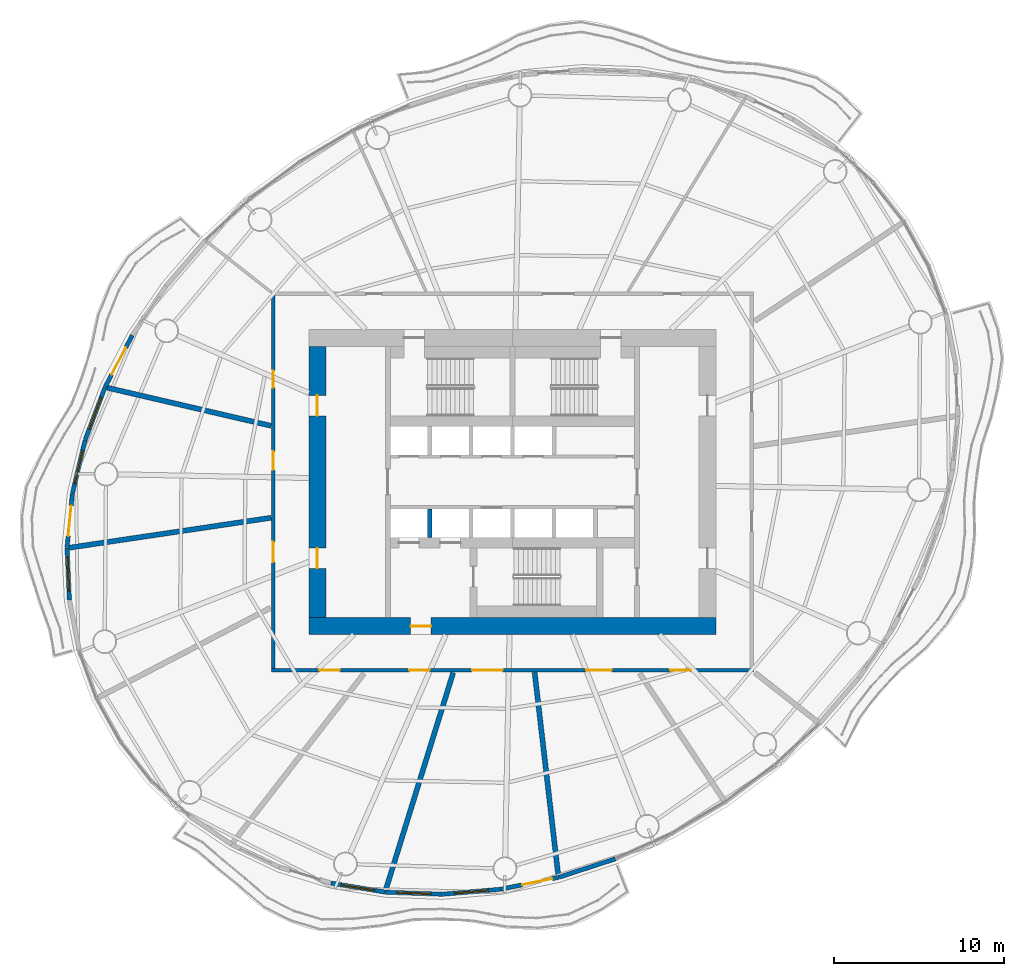
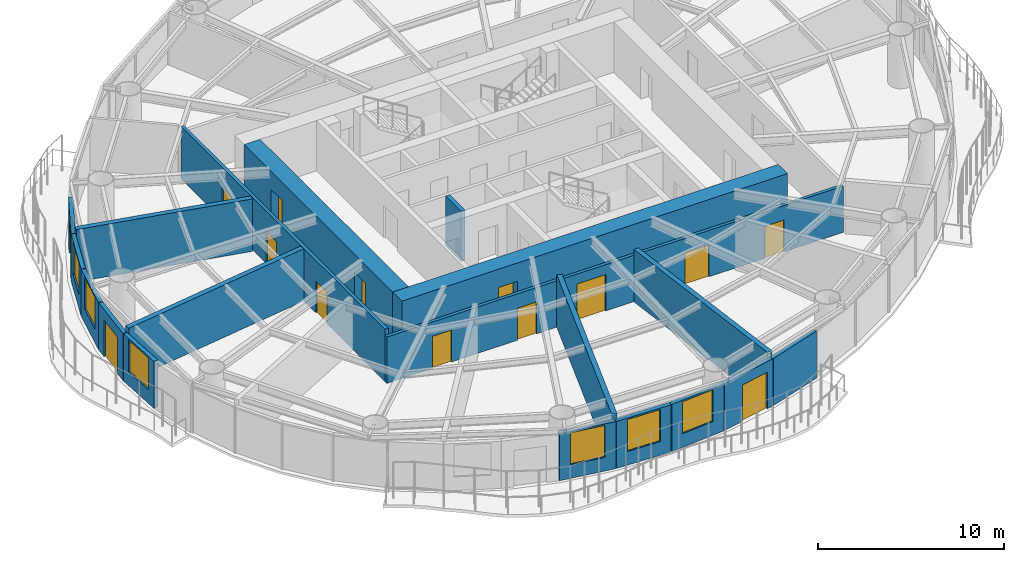
# One storey, part 8 of 15: 19 walls, 14 doors, 6 windows, 20 openings.
"""IFC4 building model written with IfcOpenShell, lengths in metres."""

from ifc_helpers import new_model, si_unit, direction, frame, frame_2d, origin, place, context, subcontext, project, spatial, rectangle, extrude, material, layer, layer_set, type_object, element, fill, save


model = new_model("IFC4")

# Units and contexts
model_context = context("Model", 3, precision=1e-05, world=origin(), true_north=direction((0.0, 1.0)))
body_context = subcontext(model_context, "Body", "Model", "MODEL_VIEW")
ifc_project = project(units=[si_unit("LENGTHUNIT", "METRE"), si_unit("AREAUNIT", "SQUARE_METRE"), si_unit("VOLUMEUNIT", "CUBIC_METRE"), si_unit("PLANEANGLEUNIT", "RADIAN"), si_unit("MASSUNIT", "GRAM", prefix="KILO")], contexts=[model_context])

# Site, building, storey
site_placement = place(None, origin())
site = spatial("IfcSite", under=ifc_project, at=site_placement, CompositionType="ELEMENT")
building_placement = place(site_placement, origin())
building = spatial("IfcBuilding", under=site, at=building_placement, Name="Vermilion Reach Broadcast Tower", CompositionType="ELEMENT")
storey_placement = place(building_placement, frame((0.0, 0.0, 168.60009765625)))
storey = spatial("IfcBuildingStorey", under=building, at=storey_placement, Name="L40", CompositionType="ELEMENT", Elevation=168.60009765625)

# Wall, opening, door
ifc_material_1 = material(Name="Concrete C70", Category="concrete")
ifc_layer_1 = layer(ifc_material_1, 1.0)
ifc_layer_set_1 = layer_set([ifc_layer_1], Name="Core outer wall 1000 mm Concrete C70")
wall_type_1 = type_object("IfcWallType", Name="Core outer wall 1000 mm Concrete C70", PredefinedType="SHEAR", material=ifc_layer_set_1)
wall_1_placement = place(storey_placement, frame((-18.0, -8.5, 0.0), z_axis=(0.0, 0.0, 1.0), x_axis=(1.0, 0.0, 0.0)))
wall_1 = element("IfcWall", 1, at=wall_1_placement, inside=storey, type_object=wall_type_1, Name="L40 core wall os", PredefinedType="SHEAR", context=body_context, shape_type="SweptSolid", body=[
    extrude(rectangle(XDim=24.0, YDim=1.0, at=frame_2d((12.0, 0.0))), origin(), (0.0, 0.0, 1.0), 3.2998046875),
])
opening_1_placement = place(wall_1_placement, frame((6.0, 0.0, 0.0)))
opening_1 = element("IfcOpeningElement", 2, at=opening_1_placement, cuts=wall_1, Name="Opening D02", PredefinedType="OPENING", context=body_context, shape_type="SweptSolid", body=[
    extrude(rectangle(XDim=1.199951171875, YDim=2.10009765625, at=frame_2d((0.60009765625, 1.050048828125))), frame((0.0, 0.510009765625, 0.0), z_axis=(0.0, -1.0, 0.0), x_axis=(1.0, 0.0, 0.0)), (0.0, 0.0, 1.0), 1.02001953125),
])
ifc_material_2 = material(Name="Painted steel fire door", Category="steel")
door_type_1 = type_object("IfcDoorType", Name="Firefighting lobby door 1200 x 2100", OperationType="DOUBLE_DOOR_SINGLE_SWING", PredefinedType="NOTDEFINED", material=ifc_material_2)
door_1_placement = place(opening_1_placement, origin())
door_1 = element("IfcDoor", 3, at=door_1_placement, inside=storey, type_object=door_type_1, Name="L40 ffdoor door FFL", OperationType="DOUBLE_DOOR_SINGLE_SWING", OverallHeight=2.10009765625, OverallWidth=1.199951171875, PredefinedType="NOTDEFINED", context=body_context, shape_type="SweptSolid", body=[
    extrude(rectangle(XDim=1.199951171875, YDim=2.10009765625, at=frame_2d((0.60009765625, 1.050048828125))), frame((0.0, 0.02490234375, 0.0), z_axis=(0.0, -1.0, 0.0), x_axis=(1.0, 0.0, 0.0)), (0.0, 0.0, 1.0), 0.050048828125),
])
fill(opening_1, door_1)

# Wall, openings, doors
wall_2_placement = place(storey_placement, frame((-17.5, 8.0, 0.0), z_axis=(0.0, 0.0, 1.0), x_axis=(0.0, -1.0, 0.0)))
wall_2 = element("IfcWall", 4, at=wall_2_placement, inside=storey, type_object=wall_type_1, Name="L40 core wall ow", PredefinedType="SHEAR", context=body_context, shape_type="SweptSolid", body=[
    extrude(rectangle(XDim=16.0, YDim=1.0, at=frame_2d((8.0, 0.0))), origin(), (0.0, 0.0, 1.0), 3.2998046875),
])
opening_2_placement = place(wall_2_placement, frame((11.89990234375, 0.0, 0.0)))
opening_2 = element("IfcOpeningElement", 5, at=opening_2_placement, cuts=wall_2, Name="Opening D03", PredefinedType="OPENING", context=body_context, shape_type="SweptSolid", body=[
    extrude(rectangle(XDim=1.199951171875, YDim=2.10009765625, at=frame_2d((0.60009765625, 1.050048828125))), frame((0.0, 0.510009765625, 0.0), z_axis=(0.0, -1.0, 0.0), x_axis=(1.0, 0.0, 0.0)), (0.0, 0.0, 1.0), 1.02001953125),
])
opening_3_placement = place(wall_2_placement, frame((2.89990234375, 0.0, 0.0)))
opening_3 = element("IfcOpeningElement", 6, at=opening_3_placement, cuts=wall_2, Name="Opening D03", PredefinedType="OPENING", context=body_context, shape_type="SweptSolid", body=[
    extrude(rectangle(XDim=1.199951171875, YDim=2.10009765625, at=frame_2d((0.60009765625, 1.050048828125))), frame((0.0, 0.510009765625, 0.0), z_axis=(0.0, -1.0, 0.0), x_axis=(1.0, 0.0, 0.0)), (0.0, 0.0, 1.0), 1.02001953125),
])
ifc_material_3 = material(Name="Painted steel fire door", Category="steel")
door_type_2 = type_object("IfcDoorType", Name="Core lobby door 1200 x 2100", OperationType="DOUBLE_DOOR_SINGLE_SWING", PredefinedType="NOTDEFINED", material=ifc_material_3)
door_2_placement = place(opening_2_placement, origin())
door_2 = element("IfcDoor", 7, at=door_2_placement, inside=storey, type_object=door_type_2, Name="L40 slot door W0", OperationType="DOUBLE_DOOR_SINGLE_SWING", OverallHeight=2.10009765625, OverallWidth=1.199951171875, PredefinedType="NOTDEFINED", context=body_context, shape_type="SweptSolid", body=[
    extrude(rectangle(XDim=1.199951171875, YDim=2.10009765625, at=frame_2d((0.60009765625, 1.050048828125))), frame((0.0, 0.02490234375, 0.0), z_axis=(0.0, -1.0, 0.0), x_axis=(1.0, 0.0, 0.0)), (0.0, 0.0, 1.0), 0.050048828125),
])
fill(opening_2, door_2)
door_3_placement = place(opening_3_placement, origin())
door_3 = element("IfcDoor", 8, at=door_3_placement, inside=storey, type_object=door_type_2, Name="L40 slot door W1", OperationType="DOUBLE_DOOR_SINGLE_SWING", OverallHeight=2.10009765625, OverallWidth=1.199951171875, PredefinedType="NOTDEFINED", context=body_context, shape_type="SweptSolid", body=[
    extrude(rectangle(XDim=1.199951171875, YDim=2.10009765625, at=frame_2d((0.60009765625, 1.050048828125))), frame((0.0, 0.02490234375, 0.0), z_axis=(0.0, -1.0, 0.0), x_axis=(1.0, 0.0, 0.0)), (0.0, 0.0, 1.0), 0.050048828125),
])
fill(opening_3, door_3)

# Wall
ifc_material_4 = material(Name="Concrete C50", Category="concrete")
ifc_layer_2 = layer(ifc_material_4, 0.25)
ifc_layer_set_2 = layer_set([ifc_layer_2], Name="Core shaft wall 250 mm Concrete C50")
wall_type_2 = type_object("IfcWallType", Name="Core shaft wall 250 mm Concrete C50", PredefinedType="SHEAR", material=ifc_layer_set_2)
wall_3_placement = place(storey_placement, frame((-10.88330078125, -1.60009765625, 0.0), z_axis=(0.0, 0.0, 1.0), x_axis=(0.0, -1.0, 0.0)))
element("IfcWall", 9, at=wall_3_placement, inside=storey, type_object=wall_type_2, Name="L40 core wall psS0", PredefinedType="SHEAR", context=body_context, shape_type="SweptSolid", body=[
    extrude(rectangle(XDim=1.679931640625, YDim=0.25, at=frame_2d((0.83984375, 0.0))), origin(), (0.0, 0.0, 1.0), 3.2998046875),
])

# Wall, openings, doors
ifc_material_5 = material(Name="Fire-rated gypsum board partition")
ifc_layer_3 = layer(ifc_material_5, 0.199951171875)
ifc_layer_set_3 = layer_set([ifc_layer_3], Name="Corridor wall 200 fire-rated")
wall_type_3 = type_object("IfcWallType", Name="Corridor wall 200 fire-rated", PredefinedType="PARTITIONING", material=ifc_layer_set_3)
wall_4_placement = place(storey_placement, frame((-20.10009765625, -11.0, 0.0), z_axis=(0.0, 0.0, 1.0), x_axis=(0.0, 1.0, 0.0)))
wall_4 = element("IfcWall", 10, at=wall_4_placement, inside=storey, type_object=wall_type_3, Name="Corridor wall 40.W", PredefinedType="PARTITIONING", context=body_context, shape_type="SweptSolid", body=[
    extrude(rectangle(XDim=22.0, YDim=0.199951171875, at=frame_2d((11.0, 0.0))), origin(), (0.0, 0.0, 1.0), 3.449951171875),
])
opening_4_placement = place(wall_4_placement, frame((16.5625, 0.0, 0.0)))
opening_4 = element("IfcOpeningElement", 11, at=opening_4_placement, cuts=wall_4, Name="Opening D20", PredefinedType="OPENING", context=body_context, shape_type="SweptSolid", body=[
    extrude(rectangle(XDim=1.0, YDim=2.10009765625, at=frame_2d((0.5, 1.050048828125))), frame((0.0, 0.10986328125, 0.0), z_axis=(0.0, -1.0, 0.0), x_axis=(1.0, 0.0, 0.0)), (0.0, 0.0, 1.0), 0.219970703125),
])
opening_5_placement = place(wall_4_placement, frame((11.709716796875, 0.0, 0.0)))
opening_5 = element("IfcOpeningElement", 12, at=opening_5_placement, cuts=wall_4, Name="Opening D28", PredefinedType="OPENING", context=body_context, shape_type="SweptSolid", body=[
    extrude(rectangle(XDim=1.10009765625, YDim=2.10009765625, at=frame_2d((0.550048828125, 1.050048828125))), frame((0.0, 0.10986328125, 0.0), z_axis=(0.0, -1.0, 0.0), x_axis=(1.0, 0.0, 0.0)), (0.0, 0.0, 1.0), 0.219970703125),
])
opening_6_placement = place(wall_4_placement, frame((6.268798828125, 0.0, 0.0)))
opening_6 = element("IfcOpeningElement", 13, at=opening_6_placement, cuts=wall_4, Name="Opening D26", PredefinedType="OPENING", context=body_context, shape_type="SweptSolid", body=[
    extrude(rectangle(XDim=1.199951171875, YDim=2.10009765625, at=frame_2d((0.60009765625, 1.050048828125))), frame((0.0, 0.10986328125, 0.0), z_axis=(0.0, -1.0, 0.0), x_axis=(1.0, 0.0, 0.0)), (0.0, 0.0, 1.0), 0.219970703125),
])
ifc_material_6 = material(Name="Timber door leaf", Category="wood")
door_type_3 = type_object("IfcDoorType", Name="Door single 1000x2100", OperationType="NOTDEFINED", PredefinedType="DOOR", material=ifc_material_6)
door_4_placement = place(opening_4_placement, origin())
door_4 = element("IfcDoor", 14, at=door_4_placement, inside=storey, type_object=door_type_3, Name="Door 40.04", OperationType="SINGLE_SWING_LEFT", OverallHeight=2.10009765625, OverallWidth=1.0, PredefinedType="DOOR", context=body_context, shape_type="SweptSolid", body=[
    extrude(rectangle(XDim=1.0, YDim=2.10009765625, at=frame_2d((0.5, 1.050048828125))), frame((0.0, 0.02490234375, 0.0), z_axis=(0.0, -1.0, 0.0), x_axis=(1.0, 0.0, 0.0)), (0.0, 0.0, 1.0), 0.050048828125),
])
fill(opening_4, door_4)
ifc_material_7 = material(Name="Acoustic sound-lock door leaf")
door_type_4 = type_object("IfcDoorType", Name="Door single 1100x2100", OperationType="NOTDEFINED", PredefinedType="DOOR", material=ifc_material_7)
door_5_placement = place(opening_5_placement, origin())
door_5 = element("IfcDoor", 15, at=door_5_placement, inside=storey, type_object=door_type_4, Name="Door 40.05", OperationType="SINGLE_SWING_RIGHT", OverallHeight=2.10009765625, OverallWidth=1.10009765625, PredefinedType="DOOR", context=body_context, shape_type="SweptSolid", body=[
    extrude(rectangle(XDim=1.10009765625, YDim=2.10009765625, at=frame_2d((0.550048828125, 1.050048828125))), frame((0.0, 0.02490234375, 0.0), z_axis=(0.0, -1.0, 0.0), x_axis=(1.0, 0.0, 0.0)), (0.0, 0.0, 1.0), 0.050048828125),
])
fill(opening_5, door_5)
ifc_material_8 = material(Name="Acoustic timber door leaf", Category="wood")
door_type_5 = type_object("IfcDoorType", Name="Door single 1200x2100", OperationType="NOTDEFINED", PredefinedType="DOOR", material=ifc_material_8)
door_6_placement = place(opening_6_placement, origin())
door_6 = element("IfcDoor", 16, at=door_6_placement, inside=storey, type_object=door_type_5, Name="Door 40.06", OperationType="SINGLE_SWING_RIGHT", OverallHeight=2.10009765625, OverallWidth=1.199951171875, PredefinedType="DOOR", context=body_context, shape_type="SweptSolid", body=[
    extrude(rectangle(XDim=1.199951171875, YDim=2.10009765625, at=frame_2d((0.60009765625, 1.050048828125))), frame((0.0, 0.02490234375, 0.0), z_axis=(0.0, -1.0, 0.0), x_axis=(1.0, 0.0, 0.0)), (0.0, 0.0, 1.0), 0.050048828125),
])
fill(opening_6, door_6)

# Walls
ifc_material_9 = material(Name="Double-leaf plasterboard on isolated steel stud", Category="steel")
ifc_layer_4 = layer(ifc_material_9, 0.300048828125)
ifc_layer_set_4 = layer_set([ifc_layer_4], Name="Partition 300 acoustic double leaf")
wall_type_4 = type_object("IfcWallType", Name="Partition 300 acoustic double leaf", PredefinedType="PARTITIONING", material=ifc_layer_set_4)
wall_5_placement = place(storey_placement, frame((-29.89599609375, 5.5576171875, 0.0), z_axis=(0.0, 0.0, 1.0), x_axis=(0.974001081483, -0.226543358476, 0.0)))
element("IfcWall", 17, at=wall_5_placement, inside=storey, type_object=wall_type_4, Name="Partition 40.05", PredefinedType="PARTITIONING", context=body_context, shape_type="SweptSolid", body=[
    extrude(rectangle(XDim=9.919921875, YDim=0.300048828125, at=frame_2d((4.9599609375, 0.0))), origin(), (0.0, 0.0, 1.0), 3.449951171875),
])
wall_6_placement = place(storey_placement, frame((-32.135009765625, -3.877197265625, 0.0), z_axis=(0.0, 0.0, 1.0), x_axis=(0.989174164401, 0.146746286091, 0.0)))
element("IfcWall", 18, at=wall_6_placement, inside=storey, type_object=wall_type_4, Name="Partition 40.06", PredefinedType="PARTITIONING", context=body_context, shape_type="SweptSolid", body=[
    extrude(rectangle(XDim=12.04345703125, YDim=0.300048828125, at=frame_2d((6.021728515625, 0.0))), origin(), (0.0, 0.0, 1.0), 3.449951171875),
])
wall_7_placement = place(storey_placement, frame((-13.47412109375, -24.06005859375, 0.0), z_axis=(0.0, 0.0, 1.0), x_axis=(0.296649264785, 0.954986499225, 0.0)))
element("IfcWall", 19, at=wall_7_placement, inside=storey, type_object=wall_type_4, Name="Partition 40.09", PredefinedType="PARTITIONING", context=body_context, shape_type="SweptSolid", body=[
    extrude(rectangle(XDim=13.419677734375, YDim=0.300048828125, at=frame_2d((6.7099609375, 0.0))), origin(), (0.0, 0.0, 1.0), 3.449951171875),
])
wall_8_placement = place(storey_placement, frame((-3.301513671875, -23.1875, 0.0), z_axis=(0.0, 0.0, 1.0), x_axis=(-0.11559754707, 0.993296132637, 0.0)))
element("IfcWall", 20, at=wall_8_placement, inside=storey, type_object=wall_type_4, Name="Partition 40.10", PredefinedType="PARTITIONING", context=body_context, shape_type="SweptSolid", body=[
    extrude(rectangle(XDim=12.051025390625, YDim=0.300048828125, at=frame_2d((6.025390625, 0.0))), origin(), (0.0, 0.0, 1.0), 3.449951171875),
])

# Wall, opening, door
ifc_material_10 = material(Name="Terracotta rainscreen cladding", Category="masonry")
ifc_layer_5 = layer(ifc_material_10, 0.25)
ifc_layer_set_5 = layer_set([ifc_layer_5], Name="Terracotta rainscreen wall 250")
wall_type_5 = type_object("IfcWallType", Name="Terracotta rainscreen wall 250", PredefinedType="SOLIDWALL", material=ifc_layer_set_5)
wall_9_placement = place(storey_placement, frame((-28.417236328125, 8.642822265625, 0.0), z_axis=(0.0, 0.0, 1.0), x_axis=(-0.464826893602, -0.885401580631, 0.0)))
wall_9 = element("IfcWall", 21, at=wall_9_placement, inside=storey, type_object=wall_type_5, Name="External wall L40 16", PredefinedType="SOLIDWALL", context=body_context, shape_type="SweptSolid", body=[
    extrude(rectangle(XDim=3.4150390625, YDim=0.25, at=frame_2d((1.70751953125, 0.0))), origin(), (0.0, 0.0, 1.0), 3.099853515625),
])
opening_7_placement = place(wall_9_placement, frame((0.806884765625, 0.0, 0.0)))
opening_7 = element("IfcOpeningElement", 22, at=opening_7_placement, cuts=wall_9, Name="Opening D70", PredefinedType="OPENING", context=body_context, shape_type="SweptSolid", body=[
    extrude(rectangle(XDim=1.800048828125, YDim=2.39990234375, at=frame_2d((0.89990234375, 1.199951171875))), frame((0.0, 0.135009765625, 0.0), z_axis=(0.0, -1.0, 0.0), x_axis=(1.0, 0.0, 0.0)), (0.0, 0.0, 1.0), 0.27001953125),
])
ifc_material_11 = material(Name="Low-e laminated clear glass in aluminium frame", Category="aluminium")
door_type_6 = type_object("IfcDoorType", Name="Balcony sliding door 1800 x 2400", OperationType="DOUBLE_DOOR_SLIDING", PredefinedType="DOOR", material=ifc_material_11)
door_7_placement = place(opening_7_placement, origin())
door_7 = element("IfcDoor", 23, at=door_7_placement, inside=storey, type_object=door_type_6, Name="Balcony door L40 run 04", OperationType="DOUBLE_DOOR_SLIDING", OverallHeight=2.39990234375, OverallWidth=1.800048828125, PredefinedType="DOOR", context=body_context, shape_type="SweptSolid", body=[
    extrude(rectangle(XDim=1.800048828125, YDim=2.39990234375, at=frame_2d((0.89990234375, 1.199951171875))), frame((0.0, 0.02490234375, 0.0), z_axis=(0.0, -1.0, 0.0), x_axis=(1.0, 0.0, 0.0)), (0.0, 0.0, 1.0), 0.050048828125),
])
fill(opening_7, door_7)

# Wall, opening, window
wall_10_placement = place(storey_placement, frame((-30.01416015625, 5.597900390625, 0.0), z_axis=(0.0, 0.0, 1.0), x_axis=(-0.353443321973, -0.935455941321, 0.0)))
wall_10 = element("IfcWall", 24, at=wall_10_placement, inside=storey, type_object=wall_type_5, Name="External wall L40 17", PredefinedType="SOLIDWALL", context=body_context, shape_type="SweptSolid", body=[
    extrude(rectangle(XDim=3.33154296875, YDim=0.25, at=frame_2d((1.665771484375, 0.0))), origin(), (0.0, 0.0, 1.0), 3.099853515625),
])
opening_8_placement = place(wall_10_placement, frame((0.665771484375, 0.0, 0.89990234375)))
opening_8 = element("IfcOpeningElement", 25, at=opening_8_placement, cuts=wall_10, Name="Opening W03", PredefinedType="OPENING", context=body_context, shape_type="SweptSolid", body=[
    extrude(rectangle(XDim=2.0, YDim=2.10009765625, at=frame_2d((1.0, 1.050048828125))), frame((0.0, 0.135009765625, 0.0), z_axis=(0.0, -1.0, 0.0), x_axis=(1.0, 0.0, 0.0)), (0.0, 0.0, 1.0), 0.27001953125),
])
ifc_material_12 = material(Name="Low-e laminated clear glass in aluminium frame", Category="aluminium")
window_type = type_object("IfcWindowType", Name="Punched window 2000 x 2100 sill 900", PartitioningType="SINGLE_PANEL", PredefinedType="WINDOW", material=ifc_material_12)
window_1_placement = place(opening_8_placement, origin())
window_1 = element("IfcWindow", 26, at=window_1_placement, inside=storey, type_object=window_type, Name="Window L40 17", OverallHeight=2.10009765625, OverallWidth=2.0, PartitioningType="SINGLE_PANEL", PredefinedType="WINDOW", context=body_context, shape_type="SweptSolid", body=[
    extrude(rectangle(XDim=2.0, YDim=2.10009765625, at=frame_2d((1.0, 1.050048828125))), frame((0.0, 0.030029296875, 0.0), z_axis=(0.0, -1.0, 0.0), x_axis=(1.0, 0.0, 0.0)), (0.0, 0.0, 1.0), 0.06005859375),
])
fill(opening_8, window_1)

wall_11_placement = place(storey_placement, frame((-31.19873046875, 2.45849609375, 0.0), z_axis=(0.0, 0.0, 1.0), x_axis=(-0.230755279109, -0.973011819642, 0.0)))
wall_11 = element("IfcWall", 27, at=wall_11_placement, inside=storey, type_object=wall_type_5, Name="External wall L40 18", PredefinedType="SOLIDWALL", context=body_context, shape_type="SweptSolid", body=[
    extrude(rectangle(XDim=3.24267578125, YDim=0.25, at=frame_2d((1.621337890625, 0.0))), origin(), (0.0, 0.0, 1.0), 3.099853515625),
])
opening_9_placement = place(wall_11_placement, frame((0.621337890625, 0.0, 0.89990234375)))
opening_9 = element("IfcOpeningElement", 28, at=opening_9_placement, cuts=wall_11, Name="Opening W03", PredefinedType="OPENING", context=body_context, shape_type="SweptSolid", body=[
    extrude(rectangle(XDim=2.0, YDim=2.10009765625, at=frame_2d((1.0, 1.050048828125))), frame((0.0, 0.135009765625, 0.0), z_axis=(0.0, -1.0, 0.0), x_axis=(1.0, 0.0, 0.0)), (0.0, 0.0, 1.0), 0.27001953125),
])
window_2_placement = place(opening_9_placement, origin())
window_2 = element("IfcWindow", 29, at=window_2_placement, inside=storey, type_object=window_type, Name="Window L40 18", OverallHeight=2.10009765625, OverallWidth=2.0, PartitioningType="SINGLE_PANEL", PredefinedType="WINDOW", context=body_context, shape_type="SweptSolid", body=[
    extrude(rectangle(XDim=2.0, YDim=2.10009765625, at=frame_2d((1.0, 1.050048828125))), frame((0.0, 0.030029296875, 0.0), z_axis=(0.0, -1.0, 0.0), x_axis=(1.0, 0.0, 0.0)), (0.0, 0.0, 1.0), 0.06005859375),
])
fill(opening_9, window_2)

# Wall, opening, door
wall_12_placement = place(storey_placement, frame((-31.951171875, -0.721435546875, 0.0), z_axis=(0.0, 0.0, 1.0), x_axis=(-0.097518814735, -0.99523368149, 0.0)))
wall_12 = element("IfcWall", 30, at=wall_12_placement, inside=storey, type_object=wall_type_5, Name="External wall L40 19", PredefinedType="SOLIDWALL", context=body_context, shape_type="SweptSolid", body=[
    extrude(rectangle(XDim=3.154541015625, YDim=0.25, at=frame_2d((1.5771484375, 0.0))), origin(), (0.0, 0.0, 1.0), 3.099853515625),
])
opening_10_placement = place(wall_12_placement, frame((0.677001953125, 0.0, 0.0)))
opening_10 = element("IfcOpeningElement", 31, at=opening_10_placement, cuts=wall_12, Name="Opening D70", PredefinedType="OPENING", context=body_context, shape_type="SweptSolid", body=[
    extrude(rectangle(XDim=1.800048828125, YDim=2.39990234375, at=frame_2d((0.89990234375, 1.199951171875))), frame((0.0, 0.135009765625, 0.0), z_axis=(0.0, -1.0, 0.0), x_axis=(1.0, 0.0, 0.0)), (0.0, 0.0, 1.0), 0.27001953125),
])
door_8_placement = place(opening_10_placement, origin())
door_8 = element("IfcDoor", 32, at=door_8_placement, inside=storey, type_object=door_type_6, Name="Balcony door L40 run 05", OperationType="DOUBLE_DOOR_SLIDING", OverallHeight=2.39990234375, OverallWidth=1.800048828125, PredefinedType="DOOR", context=body_context, shape_type="SweptSolid", body=[
    extrude(rectangle(XDim=1.800048828125, YDim=2.39990234375, at=frame_2d((0.89990234375, 1.199951171875))), frame((0.0, 0.02490234375, 0.0), z_axis=(0.0, -1.0, 0.0), x_axis=(1.0, 0.0, 0.0)), (0.0, 0.0, 1.0), 0.050048828125),
])
fill(opening_10, door_8)

# Wall, opening, window
wall_13_placement = place(storey_placement, frame((-32.25927734375, -3.88671875, 0.0), z_axis=(0.0, 0.0, 1.0), x_axis=(0.044643739649, -0.999002971222, 0.0)))
wall_13 = element("IfcWall", 33, at=wall_13_placement, inside=storey, type_object=wall_type_5, Name="External wall L40 20", PredefinedType="SOLIDWALL", context=body_context, shape_type="SweptSolid", body=[
    extrude(rectangle(XDim=3.073486328125, YDim=0.25, at=frame_2d((1.53662109375, 0.0))), origin(), (0.0, 0.0, 1.0), 3.099853515625),
])
opening_11_placement = place(wall_13_placement, frame((0.53662109375, 0.0, 0.89990234375)))
opening_11 = element("IfcOpeningElement", 34, at=opening_11_placement, cuts=wall_13, Name="Opening W03", PredefinedType="OPENING", context=body_context, shape_type="SweptSolid", body=[
    extrude(rectangle(XDim=2.0, YDim=2.10009765625, at=frame_2d((1.0, 1.050048828125))), frame((0.0, 0.135009765625, 0.0), z_axis=(0.0, -1.0, 0.0), x_axis=(1.0, 0.0, 0.0)), (0.0, 0.0, 1.0), 0.27001953125),
])
window_3_placement = place(opening_11_placement, origin())
window_3 = element("IfcWindow", 35, at=window_3_placement, inside=storey, type_object=window_type, Name="Window L40 20", OverallHeight=2.10009765625, OverallWidth=2.0, PartitioningType="SINGLE_PANEL", PredefinedType="WINDOW", context=body_context, shape_type="SweptSolid", body=[
    extrude(rectangle(XDim=2.0, YDim=2.10009765625, at=frame_2d((1.0, 1.050048828125))), frame((0.0, 0.030029296875, 0.0), z_axis=(0.0, -1.0, 0.0), x_axis=(1.0, 0.0, 0.0)), (0.0, 0.0, 1.0), 0.06005859375),
])
fill(opening_11, window_3)

wall_14_placement = place(storey_placement, frame((-16.697265625, -23.649658203125, 0.0), z_axis=(0.0, 0.0, 1.0), x_axis=(0.986414264197, -0.164276898525, 0.0)))
wall_14 = element("IfcWall", 36, at=wall_14_placement, inside=storey, type_object=wall_type_5, Name="External wall L40 29", PredefinedType="SOLIDWALL", context=body_context, shape_type="SweptSolid", body=[
    extrude(rectangle(XDim=3.24267578125, YDim=0.25, at=frame_2d((1.621337890625, 0.0))), origin(), (0.0, 0.0, 1.0), 3.099853515625),
])
opening_12_placement = place(wall_14_placement, frame((0.621337890625, 0.0, 0.89990234375)))
opening_12 = element("IfcOpeningElement", 37, at=opening_12_placement, cuts=wall_14, Name="Opening W03", PredefinedType="OPENING", context=body_context, shape_type="SweptSolid", body=[
    extrude(rectangle(XDim=2.0, YDim=2.10009765625, at=frame_2d((1.0, 1.050048828125))), frame((0.0, 0.135009765625, 0.0), z_axis=(0.0, -1.0, 0.0), x_axis=(1.0, 0.0, 0.0)), (0.0, 0.0, 1.0), 0.27001953125),
])
window_4_placement = place(opening_12_placement, origin())
window_4 = element("IfcWindow", 38, at=window_4_placement, inside=storey, type_object=window_type, Name="Window L40 29", OverallHeight=2.10009765625, OverallWidth=2.0, PartitioningType="SINGLE_PANEL", PredefinedType="WINDOW", context=body_context, shape_type="SweptSolid", body=[
    extrude(rectangle(XDim=2.0, YDim=2.10009765625, at=frame_2d((1.0, 1.050048828125))), frame((0.0, 0.030029296875, 0.0), z_axis=(0.0, -1.0, 0.0), x_axis=(1.0, 0.0, 0.0)), (0.0, 0.0, 1.0), 0.06005859375),
])
fill(opening_12, window_4)

wall_15_placement = place(storey_placement, frame((-13.474609375, -24.184814453125, 0.0), z_axis=(0.0, 0.0, 1.0), x_axis=(0.999325831556, -0.036713517754, 0.0)))
wall_15 = element("IfcWall", 39, at=wall_15_placement, inside=storey, type_object=wall_type_5, Name="External wall L40 30", PredefinedType="SOLIDWALL", context=body_context, shape_type="SweptSolid", body=[
    extrude(rectangle(XDim=3.33154296875, YDim=0.25, at=frame_2d((1.665771484375, 0.0))), origin(), (0.0, 0.0, 1.0), 3.099853515625),
])
opening_13_placement = place(wall_15_placement, frame((0.665771484375, 0.0, 0.89990234375)))
opening_13 = element("IfcOpeningElement", 40, at=opening_13_placement, cuts=wall_15, Name="Opening W03", PredefinedType="OPENING", context=body_context, shape_type="SweptSolid", body=[
    extrude(rectangle(XDim=2.0, YDim=2.10009765625, at=frame_2d((1.0, 1.050048828125))), frame((0.0, 0.135009765625, 0.0), z_axis=(0.0, -1.0, 0.0), x_axis=(1.0, 0.0, 0.0)), (0.0, 0.0, 1.0), 0.27001953125),
])
window_5_placement = place(opening_13_placement, origin())
window_5 = element("IfcWindow", 41, at=window_5_placement, inside=storey, type_object=window_type, Name="Window L40 30", OverallHeight=2.10009765625, OverallWidth=2.0, PartitioningType="SINGLE_PANEL", PredefinedType="WINDOW", context=body_context, shape_type="SweptSolid", body=[
    extrude(rectangle(XDim=2.0, YDim=2.10009765625, at=frame_2d((1.0, 1.050048828125))), frame((0.0, 0.030029296875, 0.0), z_axis=(0.0, -1.0, 0.0), x_axis=(1.0, 0.0, 0.0)), (0.0, 0.0, 1.0), 0.06005859375),
])
fill(opening_13, window_5)

wall_16_placement = place(storey_placement, frame((-10.1220703125, -24.306396484375, 0.0), z_axis=(0.0, 0.0, 1.0), x_axis=(0.996350297924, 0.085358560359, 0.0)))
wall_16 = element("IfcWall", 42, at=wall_16_placement, inside=storey, type_object=wall_type_5, Name="External wall L40 31", PredefinedType="SOLIDWALL", context=body_context, shape_type="SweptSolid", body=[
    extrude(rectangle(XDim=3.4150390625, YDim=0.25, at=frame_2d((1.70751953125, 0.0))), origin(), (0.0, 0.0, 1.0), 3.099853515625),
])
opening_14_placement = place(wall_16_placement, frame((0.70751953125, 0.0, 0.89990234375)))
opening_14 = element("IfcOpeningElement", 43, at=opening_14_placement, cuts=wall_16, Name="Opening W03", PredefinedType="OPENING", context=body_context, shape_type="SweptSolid", body=[
    extrude(rectangle(XDim=2.0, YDim=2.10009765625, at=frame_2d((1.0, 1.050048828125))), frame((0.0, 0.135009765625, 0.0), z_axis=(0.0, -1.0, 0.0), x_axis=(1.0, 0.0, 0.0)), (0.0, 0.0, 1.0), 0.27001953125),
])
window_6_placement = place(opening_14_placement, origin())
window_6 = element("IfcWindow", 44, at=window_6_placement, inside=storey, type_object=window_type, Name="Window L40 31", OverallHeight=2.10009765625, OverallWidth=2.0, PartitioningType="SINGLE_PANEL", PredefinedType="WINDOW", context=body_context, shape_type="SweptSolid", body=[
    extrude(rectangle(XDim=2.0, YDim=2.10009765625, at=frame_2d((1.0, 1.050048828125))), frame((0.0, 0.030029296875, 0.0), z_axis=(0.0, -1.0, 0.0), x_axis=(1.0, 0.0, 0.0)), (0.0, 0.0, 1.0), 0.06005859375),
])
fill(opening_14, window_6)

# Wall, opening, door
wall_17_placement = place(storey_placement, frame((-6.697265625, -24.01171875, 0.0), z_axis=(0.0, 0.0, 1.0), x_axis=(0.979588567623, 0.201013029881, 0.0)))
wall_17 = element("IfcWall", 45, at=wall_17_placement, inside=storey, type_object=wall_type_5, Name="External wall L40 32", PredefinedType="SOLIDWALL", context=body_context, shape_type="SweptSolid", body=[
    extrude(rectangle(XDim=3.48828125, YDim=0.25, at=frame_2d((1.744140625, 0.0))), origin(), (0.0, 0.0, 1.0), 3.099853515625),
])
opening_15_placement = place(wall_17_placement, frame((1.2939453125, 0.0, 0.0)))
opening_15 = element("IfcOpeningElement", 46, at=opening_15_placement, cuts=wall_17, Name="Opening D70", PredefinedType="OPENING", context=body_context, shape_type="SweptSolid", body=[
    extrude(rectangle(XDim=1.800048828125, YDim=2.39990234375, at=frame_2d((0.89990234375, 1.199951171875))), frame((0.0, 0.135009765625, 0.0), z_axis=(0.0, -1.0, 0.0), x_axis=(1.0, 0.0, 0.0)), (0.0, 0.0, 1.0), 0.27001953125),
])
door_9_placement = place(opening_15_placement, origin())
door_9 = element("IfcDoor", 47, at=door_9_placement, inside=storey, type_object=door_type_6, Name="Balcony door L40 run 08", OperationType="DOUBLE_DOOR_SLIDING", OverallHeight=2.39990234375, OverallWidth=1.800048828125, PredefinedType="DOOR", context=body_context, shape_type="SweptSolid", body=[
    extrude(rectangle(XDim=1.800048828125, YDim=2.39990234375, at=frame_2d((0.89990234375, 1.199951171875))), frame((0.0, 0.02490234375, 0.0), z_axis=(0.0, -1.0, 0.0), x_axis=(1.0, 0.0, 0.0)), (0.0, 0.0, 1.0), 0.050048828125),
])
fill(opening_15, door_9)

# Wall
wall_18_placement = place(storey_placement, frame((-3.259033203125, -23.304931640625, 0.0), z_axis=(0.0, 0.0, 1.0), x_axis=(0.950740111952, 0.309989095817, 0.0)))
element("IfcWall", 48, at=wall_18_placement, inside=storey, type_object=wall_type_5, Name="External wall L40 33", PredefinedType="SOLIDWALL", context=body_context, shape_type="SweptSolid", body=[
    extrude(rectangle(XDim=3.50244140625, YDim=0.25, at=frame_2d((1.751220703125, 0.0))), origin(), (0.0, 0.0, 1.0), 3.099853515625),
])

# Wall, openings, doors
ifc_material_13 = material(Name="Fire-rated gypsum board partition")
ifc_layer_6 = layer(ifc_material_13, 0.199951171875)
ifc_layer_set_6 = layer_set([ifc_layer_6], Name="Under girder: Corridor wall 200 fire-rated")
wall_type_6 = type_object("IfcWallType", Name="Under girder: Corridor wall 200 fire-rated", PredefinedType="PARTITIONING", material=ifc_layer_set_6)
wall_19_placement = place(storey_placement, frame((8.199951171875, -11.10009765625, 0.0), z_axis=(0.0, 0.0, 1.0), x_axis=(-1.0, 0.0, 0.0)))
wall_19 = element("IfcWall", 49, at=wall_19_placement, inside=storey, type_object=wall_type_6, Name="Corridor wall 40.S", PredefinedType="PARTITIONING", context=body_context, shape_type="SweptSolid", body=[
    extrude(rectangle(XDim=28.39990234375, YDim=0.199951171875, at=frame_2d((14.199951171875, 0.0))), origin(), (0.0, 0.0, 1.0), 3.0498046875),
])
opening_16_placement = place(wall_19_placement, frame((24.376708984375, 0.0, 0.0)))
opening_16 = element("IfcOpeningElement", 50, at=opening_16_placement, cuts=wall_19, Name="Opening D26", PredefinedType="OPENING", context=body_context, shape_type="SweptSolid", body=[
    extrude(rectangle(XDim=1.199951171875, YDim=2.10009765625, at=frame_2d((0.60009765625, 1.050048828125))), frame((0.0, 0.10986328125, 0.0), z_axis=(0.0, -1.0, 0.0), x_axis=(1.0, 0.0, 0.0)), (0.0, 0.0, 1.0), 0.219970703125),
])
opening_17_placement = place(wall_19_placement, frame((19.079833984375, 0.0, 0.0)))
opening_17 = element("IfcOpeningElement", 51, at=opening_17_placement, cuts=wall_19, Name="Opening D26", PredefinedType="OPENING", context=body_context, shape_type="SweptSolid", body=[
    extrude(rectangle(XDim=1.199951171875, YDim=2.10009765625, at=frame_2d((0.60009765625, 1.050048828125))), frame((0.0, 0.10986328125, 0.0), z_axis=(0.0, -1.0, 0.0), x_axis=(1.0, 0.0, 0.0)), (0.0, 0.0, 1.0), 0.219970703125),
])
opening_18_placement = place(wall_19_placement, frame((14.784423828125, 0.0, 0.0)))
opening_18 = element("IfcOpeningElement", 52, at=opening_18_placement, cuts=wall_19, Name="Opening D27", PredefinedType="OPENING", context=body_context, shape_type="SweptSolid", body=[
    extrude(rectangle(XDim=1.800048828125, YDim=2.39990234375, at=frame_2d((0.89990234375, 1.199951171875))), frame((0.0, 0.10986328125, 0.0), z_axis=(0.0, -1.0, 0.0), x_axis=(1.0, 0.0, 0.0)), (0.0, 0.0, 1.0), 0.219970703125),
])
opening_19_placement = place(wall_19_placement, frame((8.35009765625, 0.0, 0.0)))
opening_19 = element("IfcOpeningElement", 53, at=opening_19_placement, cuts=wall_19, Name="Opening D24", PredefinedType="OPENING", context=body_context, shape_type="SweptSolid", body=[
    extrude(rectangle(XDim=1.5, YDim=2.10009765625, at=frame_2d((0.75, 1.050048828125))), frame((0.0, 0.10986328125, 0.0), z_axis=(0.0, -1.0, 0.0), x_axis=(1.0, 0.0, 0.0)), (0.0, 0.0, 1.0), 0.219970703125),
])
opening_20_placement = place(wall_19_placement, frame((3.691162109375, 0.0, 0.0)))
opening_20 = element("IfcOpeningElement", 54, at=opening_20_placement, cuts=wall_19, Name="Opening D26", PredefinedType="OPENING", context=body_context, shape_type="SweptSolid", body=[
    extrude(rectangle(XDim=1.199951171875, YDim=2.10009765625, at=frame_2d((0.60009765625, 1.050048828125))), frame((0.0, 0.10986328125, 0.0), z_axis=(0.0, -1.0, 0.0), x_axis=(1.0, 0.0, 0.0)), (0.0, 0.0, 1.0), 0.219970703125),
])
ifc_material_14 = material(Name="Timber door leaf", Category="wood")
door_type_7 = type_object("IfcDoorType", Name="Door pair 1500x2100", OperationType="NOTDEFINED", PredefinedType="DOOR", material=ifc_material_14)
door_10_placement = place(opening_19_placement, origin())
door_10 = element("IfcDoor", 55, at=door_10_placement, inside=storey, type_object=door_type_7, Name="Door 40.10", OperationType="DOUBLE_DOOR_SINGLE_SWING", OverallHeight=2.10009765625, OverallWidth=1.5, PredefinedType="DOOR", context=body_context, shape_type="SweptSolid", body=[
    extrude(rectangle(XDim=1.5, YDim=2.10009765625, at=frame_2d((0.75, 1.050048828125))), frame((0.0, 0.02490234375, 0.0), z_axis=(0.0, -1.0, 0.0), x_axis=(1.0, 0.0, 0.0)), (0.0, 0.0, 1.0), 0.050048828125),
])
fill(opening_19, door_10)
ifc_material_15 = material(Name="Acoustic timber door leaf", Category="wood")
door_type_8 = type_object("IfcDoorType", Name="Door pair 1800x2400", OperationType="NOTDEFINED", PredefinedType="DOOR", material=ifc_material_15)
door_11_placement = place(opening_18_placement, origin())
door_11 = element("IfcDoor", 56, at=door_11_placement, inside=storey, type_object=door_type_8, Name="Door 40.09", OperationType="DOUBLE_DOOR_SINGLE_SWING", OverallHeight=2.39990234375, OverallWidth=1.800048828125, PredefinedType="DOOR", context=body_context, shape_type="SweptSolid", body=[
    extrude(rectangle(XDim=1.800048828125, YDim=2.39990234375, at=frame_2d((0.89990234375, 1.199951171875))), frame((0.0, 0.02490234375, 0.0), z_axis=(0.0, -1.0, 0.0), x_axis=(1.0, 0.0, 0.0)), (0.0, 0.0, 1.0), 0.050048828125),
])
fill(opening_18, door_11)
door_12_placement = place(opening_16_placement, origin())
door_12 = element("IfcDoor", 57, at=door_12_placement, inside=storey, type_object=door_type_5, Name="Door 40.07", OperationType="SINGLE_SWING_LEFT", OverallHeight=2.10009765625, OverallWidth=1.199951171875, PredefinedType="DOOR", context=body_context, shape_type="SweptSolid", body=[
    extrude(rectangle(XDim=1.199951171875, YDim=2.10009765625, at=frame_2d((0.60009765625, 1.050048828125))), frame((0.0, 0.02490234375, 0.0), z_axis=(0.0, -1.0, 0.0), x_axis=(1.0, 0.0, 0.0)), (0.0, 0.0, 1.0), 0.050048828125),
])
fill(opening_16, door_12)
door_13_placement = place(opening_17_placement, origin())
door_13 = element("IfcDoor", 58, at=door_13_placement, inside=storey, type_object=door_type_5, Name="Door 40.08", OperationType="SINGLE_SWING_LEFT", OverallHeight=2.10009765625, OverallWidth=1.199951171875, PredefinedType="DOOR", context=body_context, shape_type="SweptSolid", body=[
    extrude(rectangle(XDim=1.199951171875, YDim=2.10009765625, at=frame_2d((0.60009765625, 1.050048828125))), frame((0.0, 0.02490234375, 0.0), z_axis=(0.0, -1.0, 0.0), x_axis=(1.0, 0.0, 0.0)), (0.0, 0.0, 1.0), 0.050048828125),
])
fill(opening_17, door_13)
door_14_placement = place(opening_20_placement, origin())
door_14 = element("IfcDoor", 59, at=door_14_placement, inside=storey, type_object=door_type_5, Name="Door 40.11", OperationType="SINGLE_SWING_RIGHT", OverallHeight=2.10009765625, OverallWidth=1.199951171875, PredefinedType="DOOR", context=body_context, shape_type="SweptSolid", body=[
    extrude(rectangle(XDim=1.199951171875, YDim=2.10009765625, at=frame_2d((0.60009765625, 1.050048828125))), frame((0.0, 0.02490234375, 0.0), z_axis=(0.0, -1.0, 0.0), x_axis=(1.0, 0.0, 0.0)), (0.0, 0.0, 1.0), 0.050048828125),
])
fill(opening_20, door_14)

save(model, "model.ifc")
